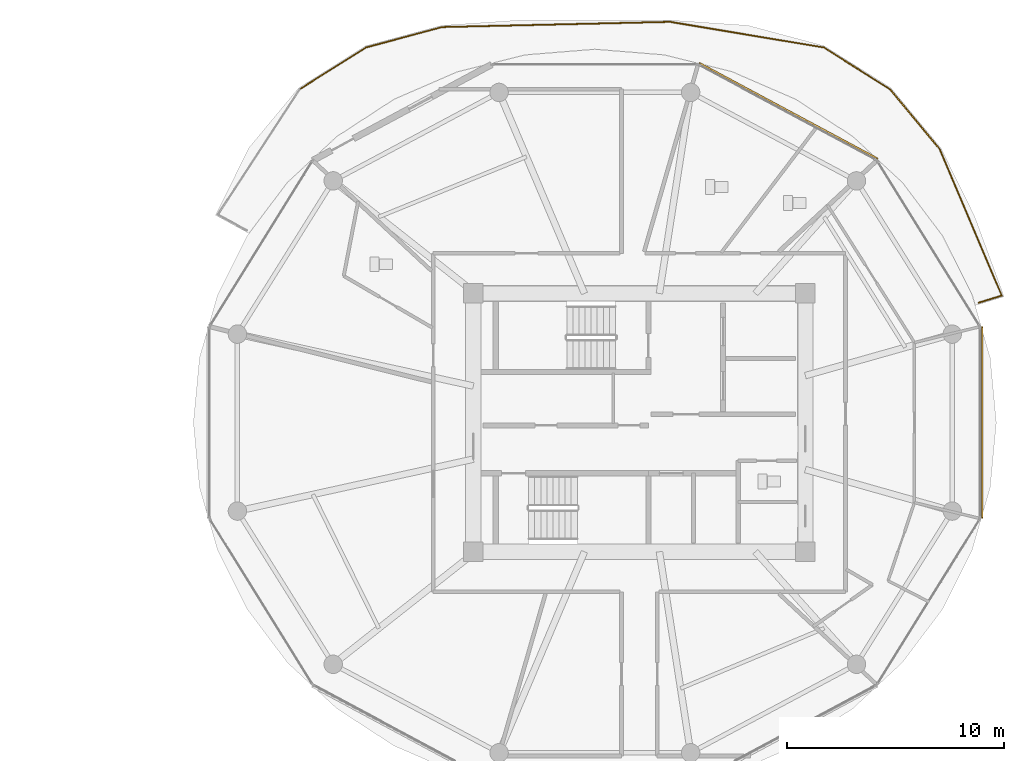
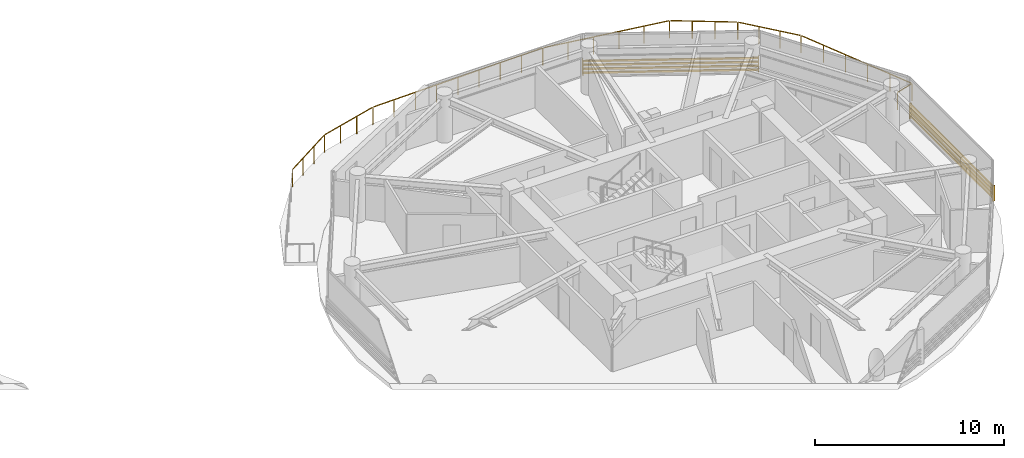
# One storey, part 23 of 24: 2 shading devices, 1 railing.
"""IFC4 building model written with IfcOpenShell, lengths in metres."""

from ifc_helpers import new_model, si_unit, direction, frame, origin, origin_2d, place, context, subcontext, project, spatial, rectangle, extrude, source, transform, mapped, material, type_object, type_shapes, element, save


model = new_model("IFC4")

# Units and contexts
model_context = context("Model", 3, precision=1e-05, world=origin(), true_north=direction((0.0, 1.0)))
body_context = subcontext(model_context, "Body", "Model", "MODEL_VIEW")
ifc_project = project(units=[si_unit("LENGTHUNIT", "METRE"), si_unit("AREAUNIT", "SQUARE_METRE"), si_unit("VOLUMEUNIT", "CUBIC_METRE"), si_unit("PLANEANGLEUNIT", "RADIAN"), si_unit("MASSUNIT", "GRAM", prefix="KILO")], contexts=[model_context])

# Site, building, storey
site_placement = place(None, origin())
site = spatial("IfcSite", under=ifc_project, at=site_placement, CompositionType="ELEMENT")
building_placement = place(site_placement, origin())
building = spatial("IfcBuilding", under=site, at=building_placement, Name="Norrkilde Senior Care Towers", CompositionType="ELEMENT")
storey_placement = place(building_placement, frame((0.0, 0.0, 114.550048828125)))
storey = spatial("IfcBuildingStorey", under=building, at=storey_placement, Name="L35", CompositionType="ELEMENT", Elevation=114.550048828125)

# Railing
ifc_material_1 = material(Name="Anodised Aluminium", Category="aluminium")
railing_type = type_object("IfcRailingType", Name="Balcony Swirl Ribbon Guardrail 1150", PredefinedType="GUARDRAIL", material=ifc_material_1)
railing_placement = place(storey_placement, frame((12.356689453125, 15.36474609375, 0.0)))
element("IfcRailing", 1, at=railing_placement, inside=storey, type_object=railing_type, Name="L35 Perimeter Safety Guard 01", PredefinedType="GUARDRAIL", context=body_context, shape_type="SweptSolid", body=[
    extrude(rectangle(XDim=0.048095703125, YDim=0.048095703125, at=origin_2d()), frame((0.0, 0.0, 1.1259765625), z_axis=(0.846481417603, 0.532418265702, 0.0), x_axis=(-0.532418265702, 0.846481417603, 0.0)), (0.0, 0.0, 1.0), 3.566162109375),
    extrude(rectangle(XDim=0.048095703125, YDim=0.048095703125, at=origin_2d()), frame((3.0927734375, 1.930908203125, 1.1259765625), z_axis=(0.965895435764, 0.258932437462, 0.0), x_axis=(-0.258932437462, 0.965895435764, 0.0)), (0.0, 0.0, 1.0), 3.543701171875),
    extrude(rectangle(XDim=0.048095703125, YDim=0.048095703125, at=origin_2d()), frame((6.595703125, 2.860107421875, 1.1259765625), z_axis=(0.999738926322, 0.022849052434, 0.0), x_axis=(-0.022849052434, 0.999738926322, 0.0)), (0.0, 0.0, 1.0), 10.43212890625),
    extrude(rectangle(XDim=0.048095703125, YDim=0.048095703125, at=origin_2d()), frame((17.1064453125, 3.092529296875, 1.1259765625), z_axis=(0.986369047008, -0.164548178671, 0.0), x_axis=(0.164548178671, 0.986369047008, 0.0)), (0.0, 0.0, 1.0), 7.0830078125),
    extrude(rectangle(XDim=0.048095703125, YDim=0.048095703125, at=origin_2d()), frame((24.16796875, 1.898681640625, 1.1259765625), z_axis=(0.846481417603, -0.532418265702, 0.0), x_axis=(0.532418265702, 0.846481417603, 0.0)), (0.0, 0.0, 1.0), 3.525146484375),
    extrude(rectangle(XDim=0.048095703125, YDim=0.048095703125, at=origin_2d()), frame((27.212646484375, -0.031494140625, 1.1259765625), z_axis=(0.638981792783, -0.769221859083, 0.0), x_axis=(0.769221859083, 0.638981792783, 0.0)), (0.0, 0.0, 1.0), 3.494873046875),
    extrude(rectangle(XDim=0.048095703125, YDim=0.048095703125, at=origin_2d()), frame((29.48779296875, -2.788818359375, 1.1259765625), z_axis=(0.390816150925, -0.920468758935, 0.0), x_axis=(0.920468758935, 0.390816150925, 0.0)), (0.0, 0.0, 1.0), 7.263427734375),
    extrude(rectangle(XDim=0.048095703125, YDim=0.048095703125, at=origin_2d()), frame((32.303466796875, -9.524169921875, 1.1259765625), z_axis=(-0.955793104348, -0.294040034148, 0.0), x_axis=(0.294040034148, -0.955793104348, 0.0)), (0.0, 0.0, 1.0), 1.08251953125),
    extrude(rectangle(XDim=0.0419921875, YDim=0.0419921875, at=origin_2d()), origin(), (0.0, 0.0, 1.0), 1.099853515625),
    extrude(rectangle(XDim=0.0419921875, YDim=0.0419921875, at=origin_2d()), frame((1.017822265625, 0.64013671875, 0.0)), (0.0, 0.0, 1.0), 1.099853515625),
    extrude(rectangle(XDim=0.0419921875, YDim=0.0419921875, at=origin_2d()), frame((2.035400390625, 1.2802734375, 0.0)), (0.0, 0.0, 1.0), 1.099853515625),
    extrude(rectangle(XDim=0.0419921875, YDim=0.0419921875, at=origin_2d()), frame((3.05322265625, 1.92041015625, 0.0)), (0.0, 0.0, 1.0), 1.099853515625),
    extrude(rectangle(XDim=0.0419921875, YDim=0.0419921875, at=origin_2d()), frame((4.220458984375, 2.2333984375, 0.0)), (0.0, 0.0, 1.0), 1.099853515625),
    extrude(rectangle(XDim=0.0419921875, YDim=0.0419921875, at=origin_2d()), frame((5.3876953125, 2.546142578125, 0.0)), (0.0, 0.0, 1.0), 1.099853515625),
    extrude(rectangle(XDim=0.0419921875, YDim=0.0419921875, at=origin_2d()), frame((6.554931640625, 2.859130859375, 0.0)), (0.0, 0.0, 1.0), 1.099853515625),
    extrude(rectangle(XDim=0.0419921875, YDim=0.0419921875, at=origin_2d()), frame((7.868896484375, 2.88916015625, 0.0)), (0.0, 0.0, 1.0), 1.099853515625),
    extrude(rectangle(XDim=0.0419921875, YDim=0.0419921875, at=origin_2d()), frame((9.1826171875, 2.919189453125, 0.0)), (0.0, 0.0, 1.0), 1.099853515625),
    extrude(rectangle(XDim=0.0419921875, YDim=0.0419921875, at=origin_2d()), frame((10.49658203125, 2.94921875, 0.0)), (0.0, 0.0, 1.0), 1.099853515625),
    extrude(rectangle(XDim=0.0419921875, YDim=0.0419921875, at=origin_2d()), frame((11.810546875, 2.979248046875, 0.0)), (0.0, 0.0, 1.0), 1.099853515625),
    extrude(rectangle(XDim=0.0419921875, YDim=0.0419921875, at=origin_2d()), frame((13.12451171875, 3.00927734375, 0.0)), (0.0, 0.0, 1.0), 1.099853515625),
    extrude(rectangle(XDim=0.0419921875, YDim=0.0419921875, at=origin_2d()), frame((14.4384765625, 3.039306640625, 0.0)), (0.0, 0.0, 1.0), 1.099853515625),
    extrude(rectangle(XDim=0.0419921875, YDim=0.0419921875, at=origin_2d()), frame((15.752197265625, 3.0693359375, 0.0)), (0.0, 0.0, 1.0), 1.099853515625),
    extrude(rectangle(XDim=0.0419921875, YDim=0.0419921875, at=origin_2d()), frame((17.066162109375, 3.099365234375, 0.0)), (0.0, 0.0, 1.0), 1.099853515625),
    extrude(rectangle(XDim=0.0419921875, YDim=0.0419921875, at=origin_2d()), frame((18.4794921875, 2.863525390625, 0.0)), (0.0, 0.0, 1.0), 1.099853515625),
    extrude(rectangle(XDim=0.0419921875, YDim=0.0419921875, at=origin_2d()), frame((19.89306640625, 2.627685546875, 0.0)), (0.0, 0.0, 1.0), 1.099853515625),
    extrude(rectangle(XDim=0.0419921875, YDim=0.0419921875, at=origin_2d()), frame((21.306396484375, 2.39208984375, 0.0)), (0.0, 0.0, 1.0), 1.099853515625),
    extrude(rectangle(XDim=0.0419921875, YDim=0.0419921875, at=origin_2d()), frame((22.719970703125, 2.15625, 0.0)), (0.0, 0.0, 1.0), 1.099853515625),
    extrude(rectangle(XDim=0.0419921875, YDim=0.0419921875, at=origin_2d()), frame((24.13330078125, 1.92041015625, 0.0)), (0.0, 0.0, 1.0), 1.099853515625),
    extrude(rectangle(XDim=0.0419921875, YDim=0.0419921875, at=origin_2d()), frame((25.151123046875, 1.2802734375, 0.0)), (0.0, 0.0, 1.0), 1.099853515625),
    extrude(rectangle(XDim=0.0419921875, YDim=0.0419921875, at=origin_2d()), frame((26.168701171875, 0.64013671875, 0.0)), (0.0, 0.0, 1.0), 1.099853515625),
    extrude(rectangle(XDim=0.0419921875, YDim=0.0419921875, at=origin_2d()), frame((27.1865234375, 0.0, 0.0)), (0.0, 0.0, 1.0), 1.099853515625),
    extrude(rectangle(XDim=0.0419921875, YDim=0.0419921875, at=origin_2d()), frame((27.9482421875, -0.9169921875, 0.0)), (0.0, 0.0, 1.0), 1.099853515625),
    extrude(rectangle(XDim=0.0419921875, YDim=0.0419921875, at=origin_2d()), frame((28.710205078125, -1.834228515625, 0.0)), (0.0, 0.0, 1.0), 1.099853515625),
    extrude(rectangle(XDim=0.0419921875, YDim=0.0419921875, at=origin_2d()), frame((29.471923828125, -2.751220703125, 0.0)), (0.0, 0.0, 1.0), 1.099853515625),
    extrude(rectangle(XDim=0.0419921875, YDim=0.0419921875, at=origin_2d()), frame((30.046142578125, -4.103515625, 0.0)), (0.0, 0.0, 1.0), 1.099853515625),
    extrude(rectangle(XDim=0.0419921875, YDim=0.0419921875, at=origin_2d()), frame((30.6201171875, -5.45556640625, 0.0)), (0.0, 0.0, 1.0), 1.099853515625),
    extrude(rectangle(XDim=0.0419921875, YDim=0.0419921875, at=origin_2d()), frame((31.1943359375, -6.807861328125, 0.0)), (0.0, 0.0, 1.0), 1.099853515625),
    extrude(rectangle(XDim=0.0419921875, YDim=0.0419921875, at=origin_2d()), frame((31.768310546875, -8.159912109375, 0.0)), (0.0, 0.0, 1.0), 1.099853515625),
    extrude(rectangle(XDim=0.0419921875, YDim=0.0419921875, at=origin_2d()), frame((32.342529296875, -9.51220703125, 0.0)), (0.0, 0.0, 1.0), 1.099853515625),
    extrude(rectangle(XDim=0.0419921875, YDim=0.0419921875, at=origin_2d()), frame((31.268798828125, -9.842529296875, 0.0)), (0.0, 0.0, 1.0), 1.099853515625),
])

# Shading devices
ifc_material_2 = material(Name="Architectural Terracotta", Category="masonry")
shading_device_type = type_object("IfcShadingDeviceType", Name="Horizontal Terracotta Baguette Rack", PredefinedType="USERDEFINED", material=ifc_material_2)
shared_shape_1 = source(origin(), body_context, "Body", "SweptSolid", [
    extrude(rectangle(XDim=0.070068359375, YDim=0.110107421875, at=origin_2d()), frame((0.0, 0.090087890625, 0.125), z_axis=(1.0, 0.0, 0.0), x_axis=(0.0, 1.0, 0.0)), (0.0, 0.0, 1.0), 9.3505859375),
    extrude(rectangle(XDim=0.070068359375, YDim=0.110107421875, at=origin_2d()), frame((0.0, 0.090087890625, 0.375), z_axis=(1.0, 0.0, 0.0), x_axis=(0.0, 1.0, 0.0)), (0.0, 0.0, 1.0), 9.3505859375),
    extrude(rectangle(XDim=0.070068359375, YDim=0.110107421875, at=origin_2d()), frame((0.0, 0.090087890625, 0.625), z_axis=(1.0, 0.0, 0.0), x_axis=(0.0, 1.0, 0.0)), (0.0, 0.0, 1.0), 9.3505859375),
    extrude(rectangle(XDim=0.070068359375, YDim=0.110107421875, at=origin_2d()), frame((0.0, 0.090087890625, 0.875), z_axis=(1.0, 0.0, 0.0), x_axis=(0.0, 1.0, 0.0)), (0.0, 0.0, 1.0), 9.3505859375),
    extrude(rectangle(XDim=0.050048828125, YDim=0.1552734375, at=origin_2d()), frame((0.02490234375, 0.047607421875, 0.0)), (0.0, 0.0, 1.0), 1.0),
    extrude(rectangle(XDim=0.050048828125, YDim=0.1552734375, at=origin_2d()), frame((9.32568359375, 0.047607421875, 0.0)), (0.0, 0.0, 1.0), 1.0),
])
shading_device_1_placement = place(storey_placement, frame((30.70703125, 16.498046875, 0.079833984375), z_axis=(0.0, 0.0, 1.0), x_axis=(0.881174934726, -0.472767624021, 0.0)))
element("IfcShadingDevice", 2, at=shading_device_1_placement, inside=storey, type_object=shading_device_type, Name="L35 Drum E Terracotta Baguette Screen 01", ObjectType="BAGUETTE", PredefinedType="USERDEFINED", context=body_context, shape_type="MappedRepresentation", body=[
    mapped(shared_shape_1, transform((0.0, 0.0, 0.0), x_axis=(1.0, 0.0, 0.0), y_axis=(0.0, 1.0, 0.0), z_axis=(0.0, 0.0, 1.0), scale=1.0)),
])
shared_shape_2 = source(origin(), body_context, "Body", "SweptSolid", [
    extrude(rectangle(XDim=0.070068359375, YDim=0.110107421875, at=origin_2d()), frame((0.0, 0.090087890625, 0.125), z_axis=(1.0, 0.0, 0.0), x_axis=(0.0, 1.0, 0.0)), (0.0, 0.0, 1.0), 8.84130859375),
    extrude(rectangle(XDim=0.070068359375, YDim=0.110107421875, at=origin_2d()), frame((0.0, 0.090087890625, 0.375), z_axis=(1.0, 0.0, 0.0), x_axis=(0.0, 1.0, 0.0)), (0.0, 0.0, 1.0), 8.84130859375),
    extrude(rectangle(XDim=0.070068359375, YDim=0.110107421875, at=origin_2d()), frame((0.0, 0.090087890625, 0.625), z_axis=(1.0, 0.0, 0.0), x_axis=(0.0, 1.0, 0.0)), (0.0, 0.0, 1.0), 8.84130859375),
    extrude(rectangle(XDim=0.070068359375, YDim=0.110107421875, at=origin_2d()), frame((0.0, 0.090087890625, 0.875), z_axis=(1.0, 0.0, 0.0), x_axis=(0.0, 1.0, 0.0)), (0.0, 0.0, 1.0), 8.84130859375),
    extrude(rectangle(XDim=0.050048828125, YDim=0.1552734375, at=origin_2d()), frame((0.02490234375, 0.047607421875, 0.0)), (0.0, 0.0, 1.0), 1.0),
    extrude(rectangle(XDim=0.050048828125, YDim=0.1552734375, at=origin_2d()), frame((8.81640625, 0.047607421875, 0.0)), (0.0, 0.0, 1.0), 1.0),
])
type_shapes(shading_device_type, [shared_shape_1, shared_shape_2])
shading_device_2_placement = place(storey_placement, frame((43.70361328125, 4.420654296875, 0.079833984375), z_axis=(0.0, 0.0, 1.0), x_axis=(0.0, -1.0, 0.0)))
element("IfcShadingDevice", 3, at=shading_device_2_placement, inside=storey, type_object=shading_device_type, Name="L35 Drum E Terracotta Baguette Screen 11", ObjectType="BAGUETTE", PredefinedType="USERDEFINED", context=body_context, shape_type="MappedRepresentation", body=[
    mapped(shared_shape_2, transform((0.0, 0.0, 0.0), x_axis=(1.0, 0.0, 0.0), y_axis=(0.0, 1.0, 0.0), z_axis=(0.0, 0.0, 1.0), scale=1.0)),
])

save(model, "model.ifc")
